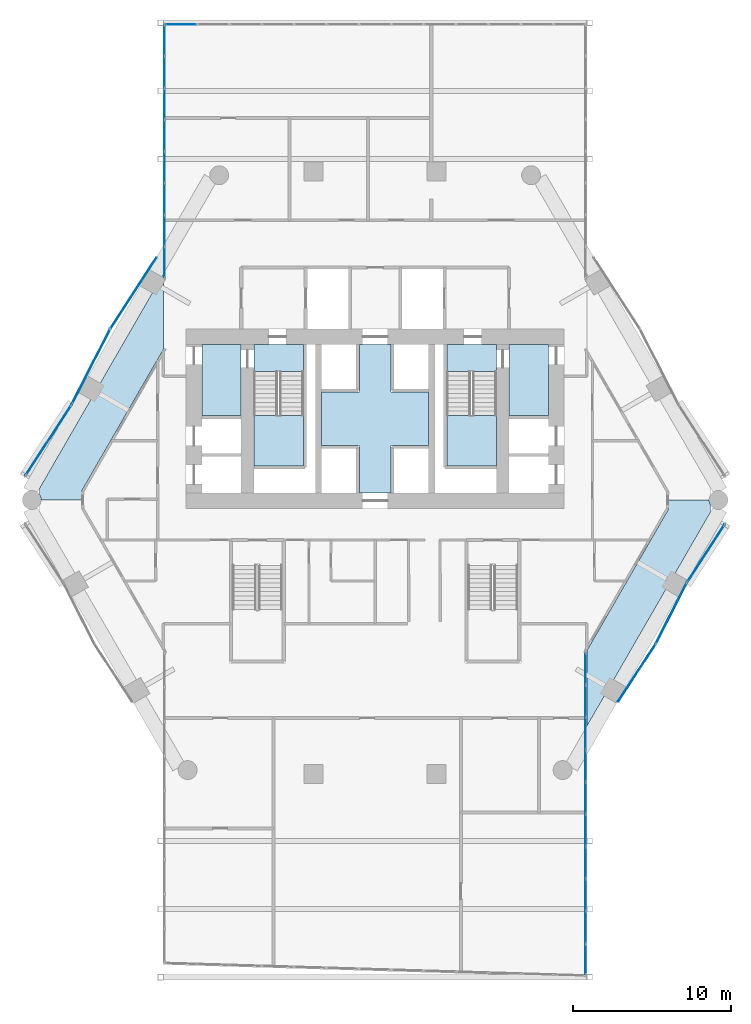
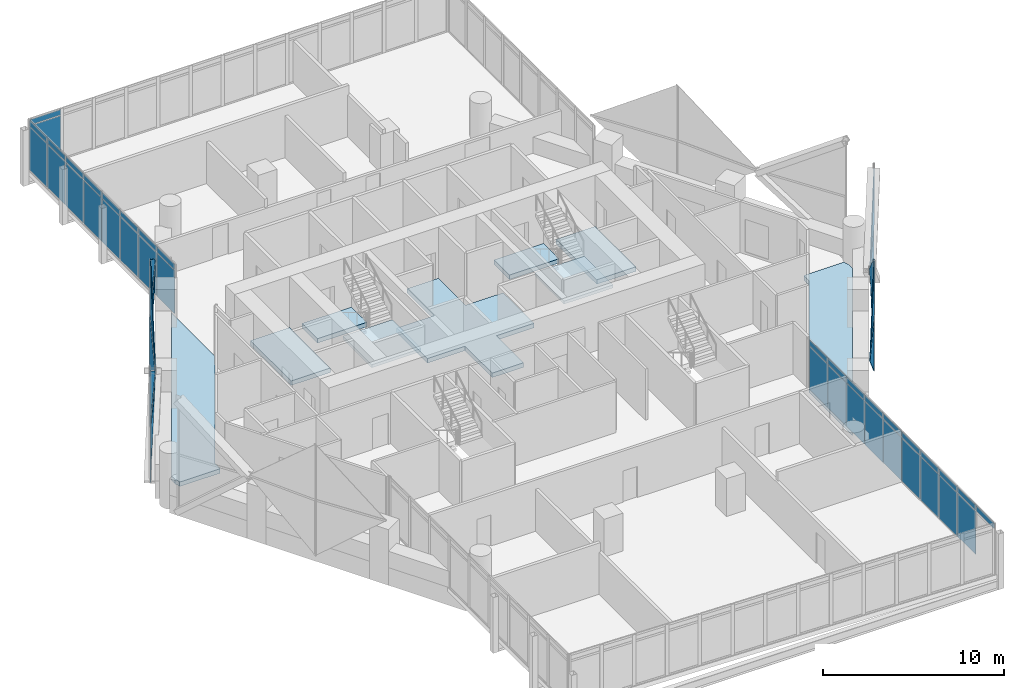
# One storey, part 25 of 36: 49 plates, 9 slabs, 13 elements without a shape of their own.
"""IFC4 building model written with IfcOpenShell, lengths in metres."""

from ifc_helpers import new_model, si_unit, direction, frame, origin, origin_2d, place, context, subcontext, project, spatial, polyline, rectangle, outline, extrude, material, layer, layer_set, type_object, element, aggregate, save


model = new_model("IFC4")

# Units and contexts
model_context = context("Model", 3, precision=1e-05, world=origin(), true_north=direction((0.0, 1.0)))
body_context = subcontext(model_context, "Body", "Model", "MODEL_VIEW")
ifc_project = project(units=[si_unit("LENGTHUNIT", "METRE"), si_unit("AREAUNIT", "SQUARE_METRE"), si_unit("VOLUMEUNIT", "CUBIC_METRE"), si_unit("PLANEANGLEUNIT", "RADIAN"), si_unit("MASSUNIT", "GRAM", prefix="KILO")], contexts=[model_context])

# Site, building, storey
site_placement = place(None, origin())
site = spatial("IfcSite", under=ifc_project, at=site_placement, CompositionType="ELEMENT")
building_placement = place(site_placement, origin())
building = spatial("IfcBuilding", under=site, at=building_placement, Name="Ostrander Bayou Hotel Tower", CompositionType="ELEMENT")
storey_placement = place(building_placement, frame((0.0, 0.0, 138.5)))
storey = spatial("IfcBuildingStorey", under=building, at=storey_placement, Name="L34", CompositionType="ELEMENT", Elevation=138.5)

# Curtain wall, plates
ifc_material_1 = material(Name="Aluminium and clear glass", Category="aluminium")
curtain_wall_type_1 = type_object("IfcCurtainWallType", Name="CW-BAR glazed wall", PredefinedType="NOTDEFINED", material=ifc_material_1)
curtain_wall_1_placement = place(storey_placement, origin())
curtain_wall_1 = element("IfcCurtainWall", 1, at=curtain_wall_1_placement, inside=storey, type_object=curtain_wall_type_1, Name="CW-BAR L34:SB3S:W", PredefinedType="NOTDEFINED")
ifc_material_2 = material(Name="Clear laminated glass", Category="glass")
ifc_layer_1 = layer(ifc_material_2, 0.028076171875)
ifc_layer_set_1 = layer_set([ifc_layer_1], Name="CW-BR glazing panel 28 mm")
plate_type_1 = type_object("IfcPlateType", Name="CW-BR glazing panel 28 mm", PredefinedType="CURTAIN_PANEL", material=ifc_layer_set_1)
plate_1_placement = place(storey_placement, frame((13.3671875, -11.88720703125, 0.06005859375), z_axis=(0.0, 0.0, 1.0), x_axis=(0.0, -1.0, 0.0)))
plate_1 = element("IfcPlate", 2, at=plate_1_placement, type_object=plate_type_1, Name="CW-BAR panel 1.1", PredefinedType="CURTAIN_PANEL", context=body_context, shape_type="SweptSolid", body=[
    extrude(rectangle(XDim=1.9599609375, YDim=0.028076171875, at=origin_2d()), origin(), (0.0, 0.0, 1.0), 2.909912109375),
])
plate_2_placement = place(storey_placement, frame((13.3671875, -11.88720703125, 3.02978515625), z_axis=(0.0, 0.0, 1.0), x_axis=(0.0, -1.0, 0.0)))
plate_2 = element("IfcPlate", 3, at=plate_2_placement, type_object=plate_type_1, Name="CW-BAR panel 1.2", PredefinedType="CURTAIN_PANEL", context=body_context, shape_type="SweptSolid", body=[
    extrude(rectangle(XDim=1.9599609375, YDim=0.028076171875, at=origin_2d()), origin(), (0.0, 0.0, 1.0), 0.360107421875),
])
plate_3_placement = place(storey_placement, frame((13.3671875, -13.92236328125, 0.06005859375), z_axis=(0.0, 0.0, 1.0), x_axis=(0.0, -1.0, 0.0)))
plate_3 = element("IfcPlate", 4, at=plate_3_placement, type_object=plate_type_1, Name="CW-BAR panel 2.1", PredefinedType="CURTAIN_PANEL", context=body_context, shape_type="SweptSolid", body=[
    extrude(rectangle(XDim=1.989990234375, YDim=0.028076171875, at=origin_2d()), origin(), (0.0, 0.0, 1.0), 2.909912109375),
])
plate_4_placement = place(storey_placement, frame((13.3671875, -13.92236328125, 3.02978515625), z_axis=(0.0, 0.0, 1.0), x_axis=(0.0, -1.0, 0.0)))
plate_4 = element("IfcPlate", 5, at=plate_4_placement, type_object=plate_type_1, Name="CW-BAR panel 2.2", PredefinedType="CURTAIN_PANEL", context=body_context, shape_type="SweptSolid", body=[
    extrude(rectangle(XDim=1.989990234375, YDim=0.028076171875, at=origin_2d()), origin(), (0.0, 0.0, 1.0), 0.360107421875),
])
plate_5_placement = place(storey_placement, frame((13.3671875, -15.972412109375, 0.06005859375), z_axis=(0.0, 0.0, 1.0), x_axis=(0.0, -1.0, 0.0)))
plate_5 = element("IfcPlate", 6, at=plate_5_placement, type_object=plate_type_1, Name="CW-BAR panel 3.1", PredefinedType="CURTAIN_PANEL", context=body_context, shape_type="SweptSolid", body=[
    extrude(rectangle(XDim=1.989990234375, YDim=0.028076171875, at=origin_2d()), origin(), (0.0, 0.0, 1.0), 2.909912109375),
])
plate_6_placement = place(storey_placement, frame((13.3671875, -15.972412109375, 3.02978515625), z_axis=(0.0, 0.0, 1.0), x_axis=(0.0, -1.0, 0.0)))
plate_6 = element("IfcPlate", 7, at=plate_6_placement, type_object=plate_type_1, Name="CW-BAR panel 3.2", PredefinedType="CURTAIN_PANEL", context=body_context, shape_type="SweptSolid", body=[
    extrude(rectangle(XDim=1.989990234375, YDim=0.028076171875, at=origin_2d()), origin(), (0.0, 0.0, 1.0), 0.360107421875),
])
plate_7_placement = place(storey_placement, frame((13.3671875, -18.0224609375, 0.06005859375), z_axis=(0.0, 0.0, 1.0), x_axis=(0.0, -1.0, 0.0)))
plate_7 = element("IfcPlate", 8, at=plate_7_placement, type_object=plate_type_1, Name="CW-BAR panel 4.1", PredefinedType="CURTAIN_PANEL", context=body_context, shape_type="SweptSolid", body=[
    extrude(rectangle(XDim=1.989990234375, YDim=0.028076171875, at=origin_2d()), origin(), (0.0, 0.0, 1.0), 2.909912109375),
])
plate_8_placement = place(storey_placement, frame((13.3671875, -18.0224609375, 3.02978515625), z_axis=(0.0, 0.0, 1.0), x_axis=(0.0, -1.0, 0.0)))
plate_8 = element("IfcPlate", 9, at=plate_8_placement, type_object=plate_type_1, Name="CW-BAR panel 4.2", PredefinedType="CURTAIN_PANEL", context=body_context, shape_type="SweptSolid", body=[
    extrude(rectangle(XDim=1.989990234375, YDim=0.028076171875, at=origin_2d()), origin(), (0.0, 0.0, 1.0), 0.360107421875),
])
plate_9_placement = place(storey_placement, frame((13.3671875, -20.072509765625, 0.06005859375), z_axis=(0.0, 0.0, 1.0), x_axis=(0.0, -1.0, 0.0)))
plate_9 = element("IfcPlate", 10, at=plate_9_placement, type_object=plate_type_1, Name="CW-BAR panel 5.1", PredefinedType="CURTAIN_PANEL", context=body_context, shape_type="SweptSolid", body=[
    extrude(rectangle(XDim=1.989990234375, YDim=0.028076171875, at=origin_2d()), origin(), (0.0, 0.0, 1.0), 2.909912109375),
])
plate_10_placement = place(storey_placement, frame((13.3671875, -20.072509765625, 3.02978515625), z_axis=(0.0, 0.0, 1.0), x_axis=(0.0, -1.0, 0.0)))
plate_10 = element("IfcPlate", 11, at=plate_10_placement, type_object=plate_type_1, Name="CW-BAR panel 5.2", PredefinedType="CURTAIN_PANEL", context=body_context, shape_type="SweptSolid", body=[
    extrude(rectangle(XDim=1.989990234375, YDim=0.028076171875, at=origin_2d()), origin(), (0.0, 0.0, 1.0), 0.360107421875),
])
plate_11_placement = place(storey_placement, frame((13.3671875, -22.12255859375, 0.06005859375), z_axis=(0.0, 0.0, 1.0), x_axis=(0.0, -1.0, 0.0)))
plate_11 = element("IfcPlate", 12, at=plate_11_placement, type_object=plate_type_1, Name="CW-BAR panel 6.1", PredefinedType="CURTAIN_PANEL", context=body_context, shape_type="SweptSolid", body=[
    extrude(rectangle(XDim=1.989990234375, YDim=0.028076171875, at=origin_2d()), origin(), (0.0, 0.0, 1.0), 2.909912109375),
])
plate_12_placement = place(storey_placement, frame((13.3671875, -22.12255859375, 3.02978515625), z_axis=(0.0, 0.0, 1.0), x_axis=(0.0, -1.0, 0.0)))
plate_12 = element("IfcPlate", 13, at=plate_12_placement, type_object=plate_type_1, Name="CW-BAR panel 6.2", PredefinedType="CURTAIN_PANEL", context=body_context, shape_type="SweptSolid", body=[
    extrude(rectangle(XDim=1.989990234375, YDim=0.028076171875, at=origin_2d()), origin(), (0.0, 0.0, 1.0), 0.360107421875),
])
plate_13_placement = place(storey_placement, frame((13.3671875, -24.172607421875, 0.06005859375), z_axis=(0.0, 0.0, 1.0), x_axis=(0.0, -1.0, 0.0)))
plate_13 = element("IfcPlate", 14, at=plate_13_placement, type_object=plate_type_1, Name="CW-BAR panel 7.1", PredefinedType="CURTAIN_PANEL", context=body_context, shape_type="SweptSolid", body=[
    extrude(rectangle(XDim=1.989990234375, YDim=0.028076171875, at=origin_2d()), origin(), (0.0, 0.0, 1.0), 2.909912109375),
])
plate_14_placement = place(storey_placement, frame((13.3671875, -24.172607421875, 3.02978515625), z_axis=(0.0, 0.0, 1.0), x_axis=(0.0, -1.0, 0.0)))
plate_14 = element("IfcPlate", 15, at=plate_14_placement, type_object=plate_type_1, Name="CW-BAR panel 7.2", PredefinedType="CURTAIN_PANEL", context=body_context, shape_type="SweptSolid", body=[
    extrude(rectangle(XDim=1.989990234375, YDim=0.028076171875, at=origin_2d()), origin(), (0.0, 0.0, 1.0), 0.360107421875),
])
plate_15_placement = place(storey_placement, frame((13.3671875, -26.22265625, 0.06005859375), z_axis=(0.0, 0.0, 1.0), x_axis=(0.0, -1.0, 0.0)))
plate_15 = element("IfcPlate", 16, at=plate_15_placement, type_object=plate_type_1, Name="CW-BAR panel 8.1", PredefinedType="CURTAIN_PANEL", context=body_context, shape_type="SweptSolid", body=[
    extrude(rectangle(XDim=1.989990234375, YDim=0.028076171875, at=origin_2d()), origin(), (0.0, 0.0, 1.0), 2.909912109375),
])
plate_16_placement = place(storey_placement, frame((13.3671875, -26.22265625, 3.02978515625), z_axis=(0.0, 0.0, 1.0), x_axis=(0.0, -1.0, 0.0)))
plate_16 = element("IfcPlate", 17, at=plate_16_placement, type_object=plate_type_1, Name="CW-BAR panel 8.2", PredefinedType="CURTAIN_PANEL", context=body_context, shape_type="SweptSolid", body=[
    extrude(rectangle(XDim=1.989990234375, YDim=0.028076171875, at=origin_2d()), origin(), (0.0, 0.0, 1.0), 0.360107421875),
])
plate_17_placement = place(storey_placement, frame((13.3671875, -28.272705078125, 0.06005859375), z_axis=(0.0, 0.0, 1.0), x_axis=(0.0, -1.0, 0.0)))
plate_17 = element("IfcPlate", 18, at=plate_17_placement, type_object=plate_type_1, Name="CW-BAR panel 9.1", PredefinedType="CURTAIN_PANEL", context=body_context, shape_type="SweptSolid", body=[
    extrude(rectangle(XDim=1.989990234375, YDim=0.028076171875, at=origin_2d()), origin(), (0.0, 0.0, 1.0), 2.909912109375),
])
plate_18_placement = place(storey_placement, frame((13.3671875, -28.272705078125, 3.02978515625), z_axis=(0.0, 0.0, 1.0), x_axis=(0.0, -1.0, 0.0)))
plate_18 = element("IfcPlate", 19, at=plate_18_placement, type_object=plate_type_1, Name="CW-BAR panel 9.2", PredefinedType="CURTAIN_PANEL", context=body_context, shape_type="SweptSolid", body=[
    extrude(rectangle(XDim=1.989990234375, YDim=0.028076171875, at=origin_2d()), origin(), (0.0, 0.0, 1.0), 0.360107421875),
])
plate_19_placement = place(storey_placement, frame((13.3671875, -30.307861328125, 3.02978515625), z_axis=(0.0, 0.0, 1.0), x_axis=(0.0, -1.0, 0.0)))
plate_19 = element("IfcPlate", 20, at=plate_19_placement, type_object=plate_type_1, Name="CW-BAR panel 10.2", PredefinedType="CURTAIN_PANEL", context=body_context, shape_type="SweptSolid", body=[
    extrude(rectangle(XDim=1.9599609375, YDim=0.028076171875, at=origin_2d()), origin(), (0.0, 0.0, 1.0), 0.360107421875),
])
aggregate(curtain_wall_1, [plate_1, plate_2, plate_3, plate_4, plate_5, plate_6, plate_7, plate_8, plate_9, plate_10, plate_11, plate_12, plate_13, plate_14, plate_15, plate_16, plate_17, plate_18, plate_19])

curtain_wall_2_placement = place(storey_placement, origin())
curtain_wall_2 = element("IfcCurtainWall", 21, at=curtain_wall_2_placement, inside=storey, type_object=curtain_wall_type_1, Name="CW-BAR L34:SB3N:E", PredefinedType="NOTDEFINED")
plate_20_placement = place(storey_placement, frame((-13.3671875, 13.943603515625, 0.06005859375), z_axis=(0.0, 0.0, 1.0), x_axis=(0.0, 1.0, 0.0)))
plate_20 = element("IfcPlate", 22, at=plate_20_placement, type_object=plate_type_1, Name="CW-BAR panel 1.1", PredefinedType="CURTAIN_PANEL", context=body_context, shape_type="SweptSolid", body=[
    extrude(rectangle(XDim=1.924560546875, YDim=0.028076171875, at=origin_2d()), origin(), (0.0, 0.0, 1.0), 2.909912109375),
])
plate_21_placement = place(storey_placement, frame((-13.3671875, 13.943603515625, 3.02978515625), z_axis=(0.0, 0.0, 1.0), x_axis=(0.0, 1.0, 0.0)))
plate_21 = element("IfcPlate", 23, at=plate_21_placement, type_object=plate_type_1, Name="CW-BAR panel 1.2", PredefinedType="CURTAIN_PANEL", context=body_context, shape_type="SweptSolid", body=[
    extrude(rectangle(XDim=1.924560546875, YDim=0.028076171875, at=origin_2d()), origin(), (0.0, 0.0, 1.0), 0.360107421875),
])
plate_22_placement = place(storey_placement, frame((-13.3671875, 15.943115234375, 0.06005859375), z_axis=(0.0, 0.0, 1.0), x_axis=(0.0, 1.0, 0.0)))
plate_22 = element("IfcPlate", 24, at=plate_22_placement, type_object=plate_type_1, Name="CW-BAR panel 2.1", PredefinedType="CURTAIN_PANEL", context=body_context, shape_type="SweptSolid", body=[
    extrude(rectangle(XDim=1.954345703125, YDim=0.028076171875, at=origin_2d()), origin(), (0.0, 0.0, 1.0), 2.909912109375),
])
plate_23_placement = place(storey_placement, frame((-13.3671875, 15.943115234375, 3.02978515625), z_axis=(0.0, 0.0, 1.0), x_axis=(0.0, 1.0, 0.0)))
plate_23 = element("IfcPlate", 25, at=plate_23_placement, type_object=plate_type_1, Name="CW-BAR panel 2.2", PredefinedType="CURTAIN_PANEL", context=body_context, shape_type="SweptSolid", body=[
    extrude(rectangle(XDim=1.954345703125, YDim=0.028076171875, at=origin_2d()), origin(), (0.0, 0.0, 1.0), 0.360107421875),
])
plate_24_placement = place(storey_placement, frame((-13.3671875, 17.95751953125, 0.06005859375), z_axis=(0.0, 0.0, 1.0), x_axis=(0.0, 1.0, 0.0)))
plate_24 = element("IfcPlate", 26, at=plate_24_placement, type_object=plate_type_1, Name="CW-BAR panel 3.1", PredefinedType="CURTAIN_PANEL", context=body_context, shape_type="SweptSolid", body=[
    extrude(rectangle(XDim=1.954345703125, YDim=0.028076171875, at=origin_2d()), origin(), (0.0, 0.0, 1.0), 2.909912109375),
])
plate_25_placement = place(storey_placement, frame((-13.3671875, 17.95751953125, 3.02978515625), z_axis=(0.0, 0.0, 1.0), x_axis=(0.0, 1.0, 0.0)))
plate_25 = element("IfcPlate", 27, at=plate_25_placement, type_object=plate_type_1, Name="CW-BAR panel 3.2", PredefinedType="CURTAIN_PANEL", context=body_context, shape_type="SweptSolid", body=[
    extrude(rectangle(XDim=1.954345703125, YDim=0.028076171875, at=origin_2d()), origin(), (0.0, 0.0, 1.0), 0.360107421875),
])
plate_26_placement = place(storey_placement, frame((-13.3671875, 19.97216796875, 0.06005859375), z_axis=(0.0, 0.0, 1.0), x_axis=(0.0, 1.0, 0.0)))
plate_26 = element("IfcPlate", 28, at=plate_26_placement, type_object=plate_type_1, Name="CW-BAR panel 4.1", PredefinedType="CURTAIN_PANEL", context=body_context, shape_type="SweptSolid", body=[
    extrude(rectangle(XDim=1.954345703125, YDim=0.028076171875, at=origin_2d()), origin(), (0.0, 0.0, 1.0), 2.909912109375),
])
plate_27_placement = place(storey_placement, frame((-13.3671875, 19.97216796875, 3.02978515625), z_axis=(0.0, 0.0, 1.0), x_axis=(0.0, 1.0, 0.0)))
plate_27 = element("IfcPlate", 29, at=plate_27_placement, type_object=plate_type_1, Name="CW-BAR panel 4.2", PredefinedType="CURTAIN_PANEL", context=body_context, shape_type="SweptSolid", body=[
    extrude(rectangle(XDim=1.954345703125, YDim=0.028076171875, at=origin_2d()), origin(), (0.0, 0.0, 1.0), 0.360107421875),
])
plate_28_placement = place(storey_placement, frame((-13.3671875, 21.986572265625, 0.06005859375), z_axis=(0.0, 0.0, 1.0), x_axis=(0.0, 1.0, 0.0)))
plate_28 = element("IfcPlate", 30, at=plate_28_placement, type_object=plate_type_1, Name="CW-BAR panel 5.1", PredefinedType="CURTAIN_PANEL", context=body_context, shape_type="SweptSolid", body=[
    extrude(rectangle(XDim=1.954345703125, YDim=0.028076171875, at=origin_2d()), origin(), (0.0, 0.0, 1.0), 2.909912109375),
])
plate_29_placement = place(storey_placement, frame((-13.3671875, 21.986572265625, 3.02978515625), z_axis=(0.0, 0.0, 1.0), x_axis=(0.0, 1.0, 0.0)))
plate_29 = element("IfcPlate", 31, at=plate_29_placement, type_object=plate_type_1, Name="CW-BAR panel 5.2", PredefinedType="CURTAIN_PANEL", context=body_context, shape_type="SweptSolid", body=[
    extrude(rectangle(XDim=1.954345703125, YDim=0.028076171875, at=origin_2d()), origin(), (0.0, 0.0, 1.0), 0.360107421875),
])
plate_30_placement = place(storey_placement, frame((-13.3671875, 24.0009765625, 0.06005859375), z_axis=(0.0, 0.0, 1.0), x_axis=(0.0, 1.0, 0.0)))
plate_30 = element("IfcPlate", 32, at=plate_30_placement, type_object=plate_type_1, Name="CW-BAR panel 6.1", PredefinedType="CURTAIN_PANEL", context=body_context, shape_type="SweptSolid", body=[
    extrude(rectangle(XDim=1.954345703125, YDim=0.028076171875, at=origin_2d()), origin(), (0.0, 0.0, 1.0), 2.909912109375),
])
plate_31_placement = place(storey_placement, frame((-13.3671875, 24.0009765625, 3.02978515625), z_axis=(0.0, 0.0, 1.0), x_axis=(0.0, 1.0, 0.0)))
plate_31 = element("IfcPlate", 33, at=plate_31_placement, type_object=plate_type_1, Name="CW-BAR panel 6.2", PredefinedType="CURTAIN_PANEL", context=body_context, shape_type="SweptSolid", body=[
    extrude(rectangle(XDim=1.954345703125, YDim=0.028076171875, at=origin_2d()), origin(), (0.0, 0.0, 1.0), 0.360107421875),
])
plate_32_placement = place(storey_placement, frame((-13.3671875, 26.015380859375, 0.06005859375), z_axis=(0.0, 0.0, 1.0), x_axis=(0.0, 1.0, 0.0)))
plate_32 = element("IfcPlate", 34, at=plate_32_placement, type_object=plate_type_1, Name="CW-BAR panel 7.1", PredefinedType="CURTAIN_PANEL", context=body_context, shape_type="SweptSolid", body=[
    extrude(rectangle(XDim=1.954345703125, YDim=0.028076171875, at=origin_2d()), origin(), (0.0, 0.0, 1.0), 2.909912109375),
])
plate_33_placement = place(storey_placement, frame((-13.3671875, 26.015380859375, 3.02978515625), z_axis=(0.0, 0.0, 1.0), x_axis=(0.0, 1.0, 0.0)))
plate_33 = element("IfcPlate", 35, at=plate_33_placement, type_object=plate_type_1, Name="CW-BAR panel 7.2", PredefinedType="CURTAIN_PANEL", context=body_context, shape_type="SweptSolid", body=[
    extrude(rectangle(XDim=1.954345703125, YDim=0.028076171875, at=origin_2d()), origin(), (0.0, 0.0, 1.0), 0.360107421875),
])
plate_34_placement = place(storey_placement, frame((-13.3671875, 28.014892578125, 0.06005859375), z_axis=(0.0, 0.0, 1.0), x_axis=(0.0, 1.0, 0.0)))
plate_34 = element("IfcPlate", 36, at=plate_34_placement, type_object=plate_type_1, Name="CW-BAR panel 8.1", PredefinedType="CURTAIN_PANEL", context=body_context, shape_type="SweptSolid", body=[
    extrude(rectangle(XDim=1.924560546875, YDim=0.028076171875, at=origin_2d()), origin(), (0.0, 0.0, 1.0), 2.909912109375),
])
plate_35_placement = place(storey_placement, frame((-13.3671875, 28.014892578125, 3.02978515625), z_axis=(0.0, 0.0, 1.0), x_axis=(0.0, 1.0, 0.0)))
plate_35 = element("IfcPlate", 37, at=plate_35_placement, type_object=plate_type_1, Name="CW-BAR panel 8.2", PredefinedType="CURTAIN_PANEL", context=body_context, shape_type="SweptSolid", body=[
    extrude(rectangle(XDim=1.924560546875, YDim=0.028076171875, at=origin_2d()), origin(), (0.0, 0.0, 1.0), 0.360107421875),
])
aggregate(curtain_wall_2, [plate_20, plate_21, plate_22, plate_23, plate_24, plate_25, plate_26, plate_27, plate_28, plate_29, plate_30, plate_31, plate_32, plate_33, plate_34, plate_35])

curtain_wall_3_placement = place(storey_placement, origin())
curtain_wall_3 = element("IfcCurtainWall", 38, at=curtain_wall_3_placement, inside=storey, type_object=curtain_wall_type_1, Name="CW-BAR L34:SB3N:T", PredefinedType="NOTDEFINED")
plate_36_placement = place(storey_placement, frame((-12.323974609375, 29.037109375, 0.06005859375), z_axis=(0.0, 0.0, 1.0), x_axis=(1.0, 0.0, 0.0)))
plate_36 = element("IfcPlate", 39, at=plate_36_placement, type_object=plate_type_1, Name="CW-BAR panel 1.1", PredefinedType="CURTAIN_PANEL", context=body_context, shape_type="SweptSolid", body=[
    extrude(rectangle(XDim=1.966552734375, YDim=0.028076171875, at=origin_2d()), origin(), (0.0, 0.0, 1.0), 2.909912109375),
])
plate_37_placement = place(storey_placement, frame((-12.323974609375, 29.037109375, 3.02978515625), z_axis=(0.0, 0.0, 1.0), x_axis=(1.0, 0.0, 0.0)))
plate_37 = element("IfcPlate", 40, at=plate_37_placement, type_object=plate_type_1, Name="CW-BAR panel 1.2", PredefinedType="CURTAIN_PANEL", context=body_context, shape_type="SweptSolid", body=[
    extrude(rectangle(XDim=1.966552734375, YDim=0.028076171875, at=origin_2d()), origin(), (0.0, 0.0, 1.0), 0.360107421875),
])
aggregate(curtain_wall_3, [plate_36, plate_37])

# Curtain wall, plate
ifc_material_3 = material(Name="Aluminium and clear glass", Category="aluminium")
curtain_wall_type_2 = type_object("IfcCurtainWallType", Name="CW-LAT lattice glazing", PredefinedType="NOTDEFINED", material=ifc_material_3)
curtain_wall_4_placement = place(storey_placement, origin())
curtain_wall_4 = element("IfcCurtainWall", 41, at=curtain_wall_4_placement, inside=storey, type_object=curtain_wall_type_2, Name="CW-LAT L34 NW 1", PredefinedType="NOTDEFINED")
ifc_material_4 = material(Name="Clear laminated glass", Category="glass")
ifc_layer_2 = layer(ifc_material_4, 0.028076171875)
ifc_layer_set_2 = layer_set([ifc_layer_2], Name="CW-LA glazing panel 28 mm")
plate_type_2 = type_object("IfcPlateType", Name="CW-LA glazing panel 28 mm", PredefinedType="CURTAIN_PANEL", material=ifc_layer_set_2)
plate_38_placement = place(storey_placement, frame((-13.880615234375, 14.2216796875, 3.14990234375), z_axis=(-0.838680813979, 0.544623257182, 0.0), x_axis=(-0.446886388918, -0.688173036077, -0.571585888398)))
plate_38 = element("IfcPlate", 42, at=plate_38_placement, type_object=plate_type_2, Name="CW-LAT panel 1", PredefinedType="CURTAIN_PANEL", context=body_context, shape_type="SweptSolid", body=[
    extrude(outline(polyline([(0.0, 0.0), (6.560693810178323, 4.440892098500626e-16), (4.417246728684701, 3.077033410419275), (0.0, 0.0)])), origin(), (0.0, 0.0, -1.0), 0.028076171875),
])

curtain_wall_5_placement = place(storey_placement, origin())
curtain_wall_5 = element("IfcCurtainWall", 43, at=curtain_wall_5_placement, inside=storey, type_object=curtain_wall_type_2, Name="CW-LAT L34 NW 2", PredefinedType="NOTDEFINED")
plate_39_placement = place(storey_placement, frame((-13.880615234375, 14.2216796875, 3.14990234375), z_axis=(0.838680813979, -0.544623257182, 0.0), x_axis=(-0.446886388918, -0.688173036077, 0.571585888398)))
plate_39 = element("IfcPlate", 44, at=plate_39_placement, type_object=plate_type_2, Name="CW-LAT panel 2", PredefinedType="CURTAIN_PANEL", context=body_context, shape_type="SweptSolid", body=[
    extrude(outline(polyline([(0.0, 0.0), (6.560693810178323, 4.440892098500626e-16), (4.417246728684701, 3.077033410419275), (0.0, 0.0)])), origin(), (0.0, 0.0, -1.0), 0.028076171875),
])

curtain_wall_6_placement = place(storey_placement, origin())
curtain_wall_6 = element("IfcCurtainWall", 45, at=curtain_wall_6_placement, inside=storey, type_object=curtain_wall_type_2, Name="CW-LAT L34 NW 3", PredefinedType="NOTDEFINED")
plate_40_placement = place(storey_placement, frame((-19.256591796875, 4.909912109375, 3.14990234375), z_axis=(0.891009386399, -0.45398488229, 0.0), x_axis=(0.372520893662, 0.731124814571, -0.571563372955)))
plate_40 = element("IfcPlate", 46, at=plate_40_placement, type_object=plate_type_2, Name="CW-LAT panel 3", PredefinedType="CURTAIN_PANEL", context=body_context, shape_type="SweptSolid", body=[
    extrude(outline(polyline([(0.0, 0.0), (6.5609522538406475, 0.0), (4.417589605260466, 3.077092224271374), (0.0, 0.0)])), origin(), (0.0, 0.0, -1.0), 0.028076171875),
])
aggregate(curtain_wall_6, [plate_40])

curtain_wall_7_placement = place(storey_placement, origin())
curtain_wall_7 = element("IfcCurtainWall", 47, at=curtain_wall_7_placement, inside=storey, type_object=curtain_wall_type_2, Name="CW-LAT L34 NW 4", PredefinedType="NOTDEFINED")
plate_41_placement = place(storey_placement, frame((-19.256591796875, 4.909912109375, 3.14990234375), z_axis=(-0.891009386399, 0.45398488229, 0.0), x_axis=(0.372520893662, 0.731124814571, 0.571563372955)))
plate_41 = element("IfcPlate", 48, at=plate_41_placement, type_object=plate_type_2, Name="CW-LAT panel 4", PredefinedType="CURTAIN_PANEL", context=body_context, shape_type="SweptSolid", body=[
    extrude(outline(polyline([(0.0, 0.0), (6.5609522538406475, 0.0), (4.417589605260466, 3.077092224271374), (0.0, 0.0)])), origin(), (0.0, 0.0, -1.0), 0.028076171875),
])
aggregate(curtain_wall_7, [plate_41])

# Plate
plate_42_placement = place(storey_placement, frame((-19.256591796875, 4.909912109375, 3.14990234375), z_axis=(-0.838660099013, 0.544655155418, 0.0), x_axis=(-0.44691616916, -0.688161591696, -0.571576382872)))
plate_42 = element("IfcPlate", 49, at=plate_42_placement, type_object=plate_type_2, Name="CW-LAT panel 5", PredefinedType="CURTAIN_PANEL", context=body_context, shape_type="SweptSolid", body=[
    extrude(outline(polyline([(0.0, 0.0), (6.560802916935932, -4.440892098500626e-16), (4.417391481164964, 3.0770582407562967), (0.0, 0.0)])), origin(), (0.0, 0.0, -1.0), 0.028076171875),
])

aggregate(curtain_wall_4, [plate_38, plate_42])

plate_43_placement = place(storey_placement, frame((-19.256591796875, 4.909912109375, 3.14990234375), z_axis=(0.838660099013, -0.544655155418, 0.0), x_axis=(-0.44691616916, -0.688161591696, 0.571576382872)))
plate_43 = element("IfcPlate", 50, at=plate_43_placement, type_object=plate_type_2, Name="CW-LAT panel 6", PredefinedType="CURTAIN_PANEL", context=body_context, shape_type="SweptSolid", body=[
    extrude(outline(polyline([(0.0, 0.0), (6.560802916935932, -4.440892098500626e-16), (4.417391481164964, 3.0770582407562967), (0.0, 0.0)])), origin(), (0.0, 0.0, -1.0), 0.028076171875),
])

aggregate(curtain_wall_5, [plate_39, plate_43])

# Curtain wall, plate
curtain_wall_8_placement = place(storey_placement, origin())
curtain_wall_8 = element("IfcCurtainWall", 51, at=curtain_wall_8_placement, inside=storey, type_object=curtain_wall_type_2, Name="CW-LAT L34 SE 1", PredefinedType="NOTDEFINED")
plate_44_placement = place(storey_placement, frame((15.42822265625, -13.958984375, 3.14990234375), z_axis=(0.83866891002, -0.544641587988, 0.0), x_axis=(0.413756140319, 0.637124338039, -0.650291038095)))
plate_44 = element("IfcPlate", 52, at=plate_44_placement, type_object=plate_type_2, Name="CW-LAT panel 1", PredefinedType="CURTAIN_PANEL", context=body_context, shape_type="SweptSolid", body=[
    extrude(outline(polyline([(0.0, 0.0), (5.76664874697898, 0.0), (3.3280573541241556, 2.848819407876597), (0.0, 0.0)])), origin(), (0.0, 0.0, -1.0), 0.028076171875),
])

curtain_wall_9_placement = place(storey_placement, origin())
curtain_wall_9 = element("IfcCurtainWall", 53, at=curtain_wall_9_placement, inside=storey, type_object=curtain_wall_type_2, Name="CW-LAT L34 SE 2", PredefinedType="NOTDEFINED")
plate_45_placement = place(storey_placement, frame((15.42822265625, -13.958984375, 3.14990234375), z_axis=(-0.83866891002, 0.544641587988, 0.0), x_axis=(0.413756140319, 0.637124338039, 0.650291038095)))
plate_45 = element("IfcPlate", 54, at=plate_45_placement, type_object=plate_type_2, Name="CW-LAT panel 2", PredefinedType="CURTAIN_PANEL", context=body_context, shape_type="SweptSolid", body=[
    extrude(outline(polyline([(0.0, 0.0), (5.76664874697898, 0.0), (3.3280573541241556, 2.848819407876597), (0.0, 0.0)])), origin(), (0.0, 0.0, -1.0), 0.028076171875),
])

curtain_wall_10_placement = place(storey_placement, origin())
curtain_wall_10 = element("IfcCurtainWall", 55, at=curtain_wall_10_placement, inside=storey, type_object=curtain_wall_type_2, Name="CW-LAT L34 SE 3", PredefinedType="NOTDEFINED")
plate_46_placement = place(storey_placement, frame((19.802978515625, -6.3818359375, 3.14990234375), z_axis=(-0.891001640136, 0.454000085104, 0.0), x_axis=(-0.344887520245, -0.676861869157, -0.650315775959)))
plate_46 = element("IfcPlate", 56, at=plate_46_placement, type_object=plate_type_2, Name="CW-LAT panel 3", PredefinedType="CURTAIN_PANEL", context=body_context, shape_type="SweptSolid", body=[
    extrude(outline(polyline([(0.0, 0.0), (5.766429384973577, 0.0), (3.327745225128544, 2.848739996651313), (0.0, 0.0)])), origin(), (0.0, 0.0, -1.0), 0.028076171875),
])
aggregate(curtain_wall_10, [plate_46])

curtain_wall_11_placement = place(storey_placement, origin())
curtain_wall_11 = element("IfcCurtainWall", 57, at=curtain_wall_11_placement, inside=storey, type_object=curtain_wall_type_2, Name="CW-LAT L34 SE 4", PredefinedType="NOTDEFINED")
plate_47_placement = place(storey_placement, frame((19.802978515625, -6.3818359375, 3.14990234375), z_axis=(0.891001640136, -0.454000085104, 0.0), x_axis=(-0.344887520245, -0.676861869157, 0.650315775959)))
plate_47 = element("IfcPlate", 58, at=plate_47_placement, type_object=plate_type_2, Name="CW-LAT panel 4", PredefinedType="CURTAIN_PANEL", context=body_context, shape_type="SweptSolid", body=[
    extrude(outline(polyline([(0.0, 0.0), (5.766429384973577, 0.0), (3.327745225128544, 2.848739996651313), (0.0, 0.0)])), origin(), (0.0, 0.0, -1.0), 0.028076171875),
])
aggregate(curtain_wall_11, [plate_47])

# Plate
plate_48_placement = place(storey_placement, frame((19.802978515625, -6.3818359375, 3.14990234375), z_axis=(0.838677835044, -0.544627844501, 0.0), x_axis=(0.413732210593, 0.637110346399, -0.650319970806)))
plate_48 = element("IfcPlate", 59, at=plate_48_placement, type_object=plate_type_2, Name="CW-LAT panel 5", PredefinedType="CURTAIN_PANEL", context=body_context, shape_type="SweptSolid", body=[
    extrude(outline(polyline([(0.0, 0.0), (5.766392188991165, 4.440892098500626e-16), (3.327692298469106, 2.8487265302179683), (0.0, 0.0)])), origin(), (0.0, 0.0, -1.0), 0.028076171875),
])

aggregate(curtain_wall_8, [plate_44, plate_48])

plate_49_placement = place(storey_placement, frame((19.802978515625, -6.3818359375, 3.14990234375), z_axis=(-0.838677835044, 0.544627844501, 0.0), x_axis=(0.413732210593, 0.637110346399, 0.650319970806)))
plate_49 = element("IfcPlate", 60, at=plate_49_placement, type_object=plate_type_2, Name="CW-LAT panel 6", PredefinedType="CURTAIN_PANEL", context=body_context, shape_type="SweptSolid", body=[
    extrude(outline(polyline([(0.0, 0.0), (5.766392188991165, 4.440892098500626e-16), (3.327692298469106, 2.8487265302179683), (0.0, 0.0)])), origin(), (0.0, 0.0, -1.0), 0.028076171875),
])

aggregate(curtain_wall_9, [plate_45, plate_49])

# Slabs
ifc_material_5 = material(Name="Concrete f'c 40 MPa", Category="concrete")
ifc_layer_3 = layer(ifc_material_5, 0.300048828125)
ifc_layer_set_3 = layer_set([ifc_layer_3], Name="SL1 floor slab 300 mm f'c 40 MPa")
slab_type_1 = type_object("IfcSlabType", Name="SL1 floor slab 300 mm f'c 40 MPa", PredefinedType="FLOOR", material=ifc_layer_set_3)
slab_1_placement = place(storey_placement, frame((0.0, 0.0, -0.300048828125)))
element("IfcSlab", 61, at=slab_1_placement, inside=storey, type_object=slab_type_1, Name="cslab:L34:001", PredefinedType="FLOOR", context=body_context, shape_type="SweptSolid", body=[
    extrude(outline(polyline([(-3.39990234375, 5.699951171875), (-1.0, 5.699951171875), (-1.0, 8.699951171875), (1.0, 8.699951171875), (1.0, 5.699951171875), (3.39990234375, 5.699951171875), (3.39990234375, 2.300048828125), (1.0, 2.300048828125), (1.0, -0.699951171875), (-1.0, -0.699951171875), (-1.0, 2.300048828125), (-3.39990234375, 2.300048828125), (-3.39990234375, 5.699951171875)])), origin(), (0.0, 0.0, 1.0), 0.300048828125),
])
slab_2_placement = place(storey_placement, frame((0.0, 0.0, -0.300048828125)))
element("IfcSlab", 62, at=slab_2_placement, inside=storey, type_object=slab_type_1, Name="cslab:L34:002", PredefinedType="FLOOR", context=body_context, shape_type="SweptSolid", body=[
    extrude(outline(polyline([(-8.5, 4.199951171875), (-8.5, 8.699951171875), (-11.0, 8.699951171875), (-11.0, 4.199951171875), (-8.5, 4.199951171875)])), origin(), (0.0, 0.0, 1.0), 0.300048828125),
])
slab_3_placement = place(storey_placement, frame((0.0, 0.0, -0.300048828125)))
element("IfcSlab", 63, at=slab_3_placement, inside=storey, type_object=slab_type_1, Name="cslab:L34:003", PredefinedType="FLOOR", context=body_context, shape_type="SweptSolid", body=[
    extrude(outline(polyline([(11.0, 4.199951171875), (11.0, 8.699951171875), (8.5, 8.699951171875), (8.5, 4.199951171875), (11.0, 4.199951171875)])), origin(), (0.0, 0.0, 1.0), 0.300048828125),
])
slab_4_placement = place(storey_placement, frame((0.0, 0.0, -0.300048828125)))
element("IfcSlab", 64, at=slab_4_placement, inside=storey, type_object=slab_type_1, Name="cslab:L34:004", PredefinedType="FLOOR", context=body_context, shape_type="SweptSolid", body=[
    extrude(outline(polyline([(-4.550048828125, 7.0), (-4.550048828125, 8.699951171875), (-7.699951171875, 8.699951171875), (-7.699951171875, 7.0), (-4.550048828125, 7.0)])), origin(), (0.0, 0.0, 1.0), 0.300048828125),
])
slab_5_placement = place(storey_placement, frame((0.0, 0.0, -0.300048828125)))
element("IfcSlab", 65, at=slab_5_placement, inside=storey, type_object=slab_type_1, Name="cslab:L34:005", PredefinedType="FLOOR", context=body_context, shape_type="SweptSolid", body=[
    extrude(outline(polyline([(7.699951171875, 7.0), (7.699951171875, 8.699951171875), (4.550048828125, 8.699951171875), (4.550048828125, 7.0), (7.699951171875, 7.0)])), origin(), (0.0, 0.0, 1.0), 0.300048828125),
])
ifc_material_6 = material(Name="Concrete f'c 40 MPa", Category="concrete")
ifc_layer_4 = layer(ifc_material_6, 0.300048828125)
ifc_layer_set_4 = layer_set([ifc_layer_4], Name="SL4 loggia slab 300 mm f'c 40 MPa")
slab_type_2 = type_object("IfcSlabType", Name="SL4 loggia slab 300 mm f'c 40 MPa", PredefinedType="FLOOR", material=ifc_layer_set_4)
slab_6_placement = place(storey_placement, frame((0.0, 0.0, -0.300048828125)))
element("IfcSlab", 66, at=slab_6_placement, inside=storey, type_object=slab_type_2, Name="SL4 LOGGIA L34 NW 1", PredefinedType="FLOOR", context=body_context, shape_type="SweptSolid", body=[
    extrude(outline(polyline([(-16.130126953125, 8.548583984375), (-13.56103515625, 12.998779296875), (-13.442138671875, 13.20458984375), (-13.442138671875, 8.404541015625), (-18.61572265625, -0.556396484375), (-18.61572265625, -1.156494140625), (-21.201416015625, -1.156494140625), (-21.212890625, -1.039306640625), (-21.2470703125, -0.927001953125), (-21.300537109375, -0.826904296875), (-21.300537109375, -0.406494140625), (-19.725341796875, 2.32177734375), (-18.03759765625, 5.244873046875), (-17.4677734375, 6.232177734375), (-16.130126953125, 8.548583984375)])), origin(), (0.0, 0.0, 1.0), 0.300048828125),
])
slab_7_placement = place(storey_placement, frame((0.0, 0.0, -0.300048828125)))
element("IfcSlab", 67, at=slab_7_placement, inside=storey, type_object=slab_type_2, Name="SL4 LOGGIA L34 SE 1", PredefinedType="FLOOR", context=body_context, shape_type="SweptSolid", body=[
    extrude(outline(polyline([(15.132568359375, -12.589599609375), (14.5625, -13.576904296875), (13.442138671875, -15.517333984375), (13.442138671875, -10.71728515625), (18.61572265625, -1.756591796875), (18.61572265625, -1.156494140625), (21.201416015625, -1.156494140625), (21.212890625, -1.2734375), (21.2470703125, -1.385986328125), (21.300537109375, -1.48583984375), (21.300537109375, -1.906494140625), (19.039306640625, -5.822998046875), (18.46923828125, -6.810302734375), (15.132568359375, -12.589599609375)])), origin(), (0.0, 0.0, 1.0), 0.300048828125),
])

# Stair, slab
ifc_material_7 = material(Name="Concrete f'c 45 MPa", Category="concrete")
stair_type = type_object("IfcStairType", Name="ST1 exit stair 1500 mm f'c 45 MPa", PredefinedType="HALF_TURN_STAIR", material=ifc_material_7)
stair_1_placement = place(storey_placement, origin())
stair_1 = element("IfcStair", 68, at=stair_1_placement, inside=storey, type_object=stair_type, Name="L34 exit stair A", PredefinedType="HALF_TURN_STAIR")
ifc_material_8 = material(Name="Concrete f'c 45 MPa", Category="concrete")
ifc_layer_5 = layer(ifc_material_8, 0.199951171875)
ifc_layer_set_5 = layer_set([ifc_layer_5], Name="SL8 stair landing 200 mm f'c 45 MPa")
slab_type_3 = type_object("IfcSlabType", Name="SL8 stair landing 200 mm f'c 45 MPa", PredefinedType="LANDING", material=ifc_layer_set_5)
slab_8_placement = place(storey_placement, frame((0.0, 0.0, 1.675048828125)))
slab_8 = element("IfcSlab", 69, at=slab_8_placement, type_object=slab_type_3, Name="STA landing 1", PredefinedType="LANDING", context=body_context, shape_type="SweptSolid", body=[
    extrude(outline(polyline([(-7.699951171875, 4.199951171875), (-7.699951171875, 1.0), (-4.550048828125, 1.0), (-4.550048828125, 4.199951171875), (-7.699951171875, 4.199951171875)])), origin(), (0.0, 0.0, 1.0), 0.199951171875),
])
aggregate(stair_1, [slab_8])

stair_2_placement = place(storey_placement, origin())
stair_2 = element("IfcStair", 70, at=stair_2_placement, inside=storey, type_object=stair_type, Name="L34 exit stair B", PredefinedType="HALF_TURN_STAIR")
slab_9_placement = place(storey_placement, frame((0.0, 0.0, 1.675048828125)))
slab_9 = element("IfcSlab", 71, at=slab_9_placement, type_object=slab_type_3, Name="STB landing 1", PredefinedType="LANDING", context=body_context, shape_type="SweptSolid", body=[
    extrude(outline(polyline([(4.550048828125, 4.199951171875), (4.550048828125, 1.0), (7.699951171875, 1.0), (7.699951171875, 4.199951171875), (4.550048828125, 4.199951171875)])), origin(), (0.0, 0.0, 1.0), 0.199951171875),
])
aggregate(stair_2, [slab_9])

save(model, "model.ifc")
